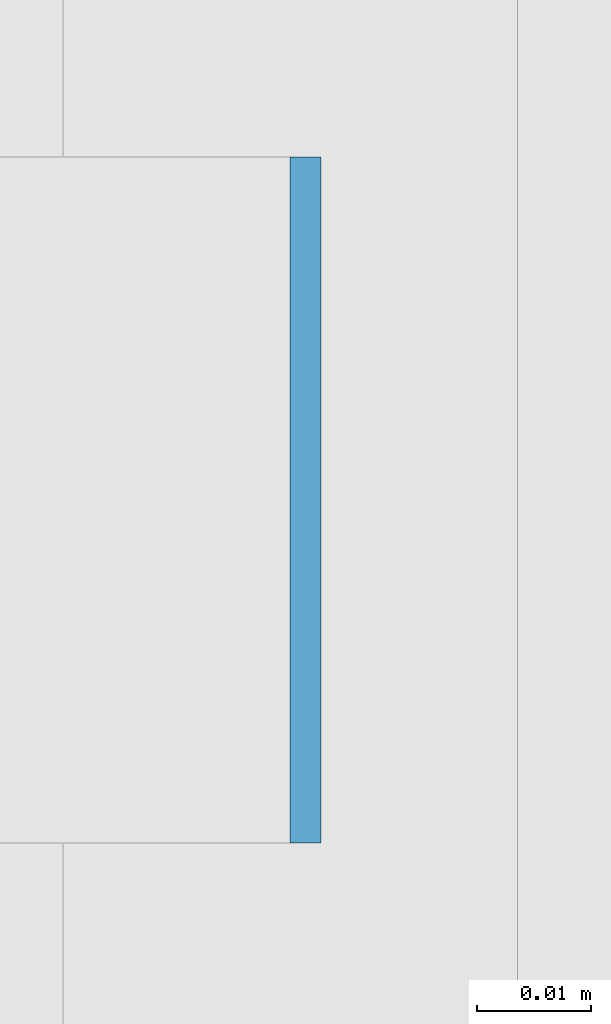
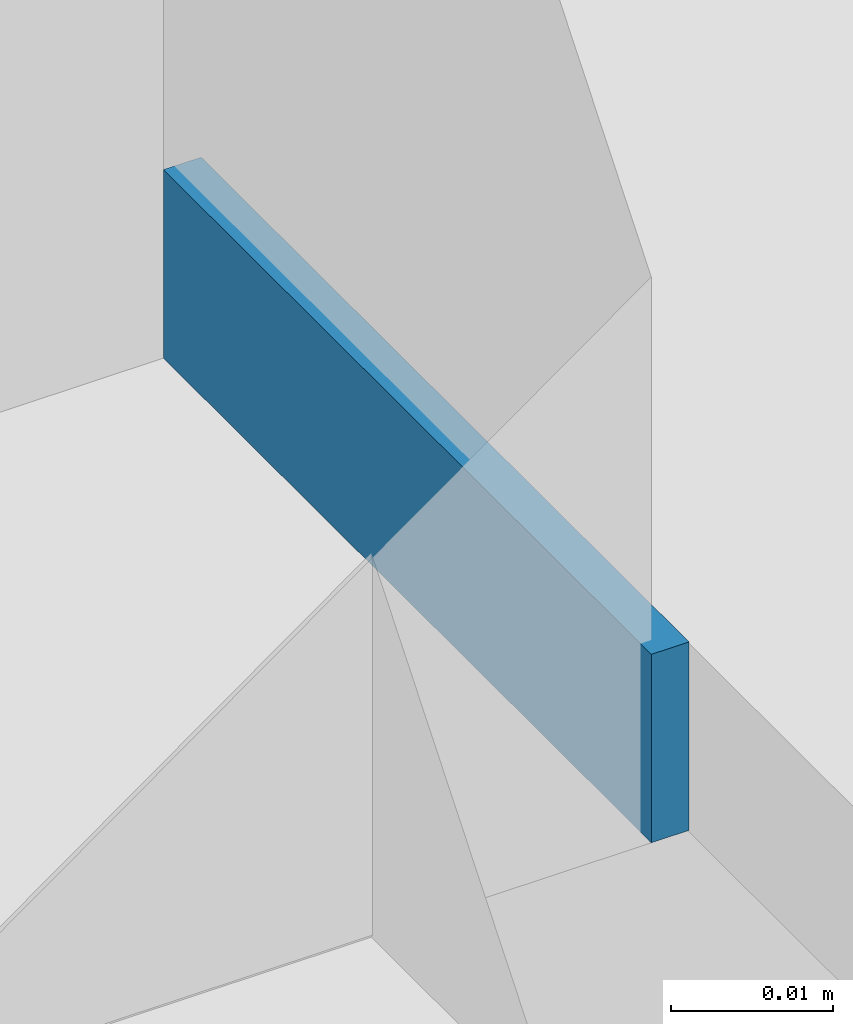
# One storey, part 402 of 646: 1 discrete accessory.
"""IFC4 building model written with IfcOpenShell, lengths in metres."""

from ifc_helpers import new_model, si_unit, direction, frame, origin, origin_2d, place, context, subcontext, project, spatial, rectangle, extrude, material, type_object, element, save


model = new_model("IFC4")

# Units and contexts
model_context = context("Model", 3, precision=1e-05, world=origin(), true_north=direction((0.0, 1.0)))
body_context = subcontext(model_context, "Body", "Model", "MODEL_VIEW")
ifc_project = project(units=[si_unit("LENGTHUNIT", "METRE"), si_unit("AREAUNIT", "SQUARE_METRE"), si_unit("VOLUMEUNIT", "CUBIC_METRE"), si_unit("PLANEANGLEUNIT", "RADIAN"), si_unit("MASSUNIT", "GRAM", prefix="KILO")], contexts=[model_context])

# Site, building, storey
site_placement = place(None, origin())
site = spatial("IfcSite", under=ifc_project, at=site_placement, CompositionType="ELEMENT")
building_placement = place(site_placement, origin())
building = spatial("IfcBuilding", under=site, at=building_placement, Name="Silverbay Arena", CompositionType="ELEMENT")
storey_placement = place(building_placement, frame((0.0, 0.0, 33.5)))
storey = spatial("IfcBuildingStorey", under=building, at=storey_placement, Name="L05", CompositionType="ELEMENT", Elevation=33.5)

# Discrete accessory
ifc_material = material(Name="Steel S355", Category="steel")
discrete_accessory_type = type_object("IfcDiscreteAccessoryType", Name="Steel bracket plate", PredefinedType="BRACKET", material=ifc_material)
discrete_accessory_placement = place(storey_placement, frame((53.871337890625, 119.571533203125, 4.0), z_axis=(0.0, 0.0, 1.0), x_axis=(1.0, 0.0, 0.0)))
element("IfcDiscreteAccessory", 1, at=discrete_accessory_placement, inside=storey, type_object=discrete_accessory_type, Name="Curtain wall packing plate", PredefinedType="BRACKET", context=body_context, shape_type="SweptSolid", body=[
    extrude(rectangle(XDim=0.002685546875, YDim=0.06005859375, at=origin_2d()), origin(), (0.0, 0.0, 1.0), 0.01416015625),
])

save(model, "model.ifc")
